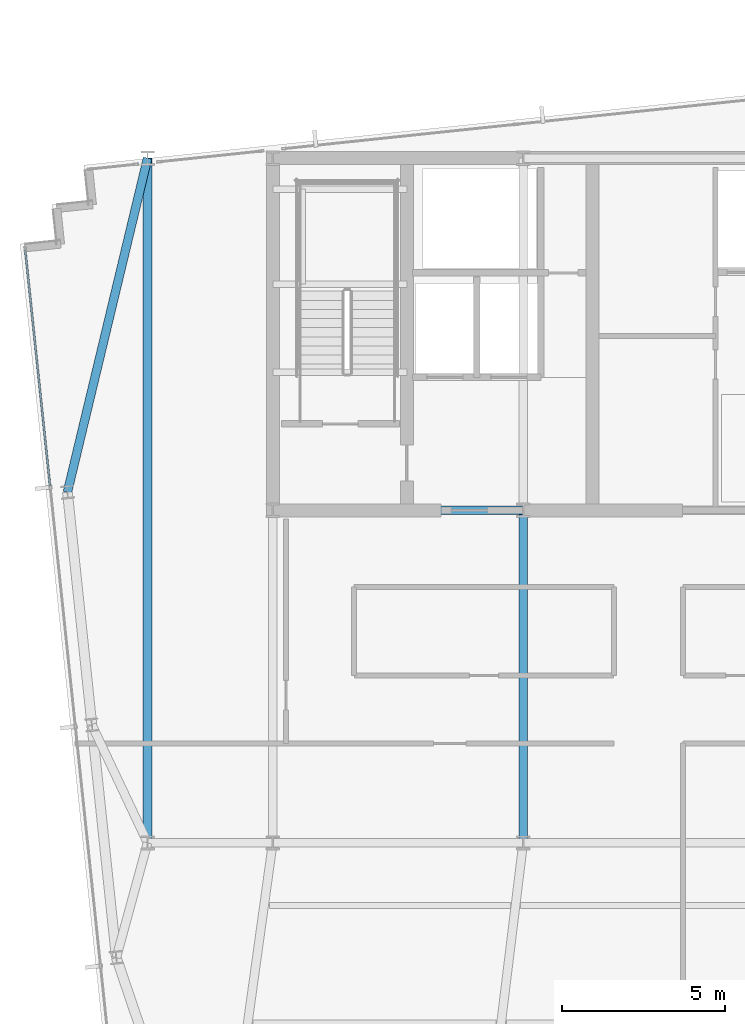
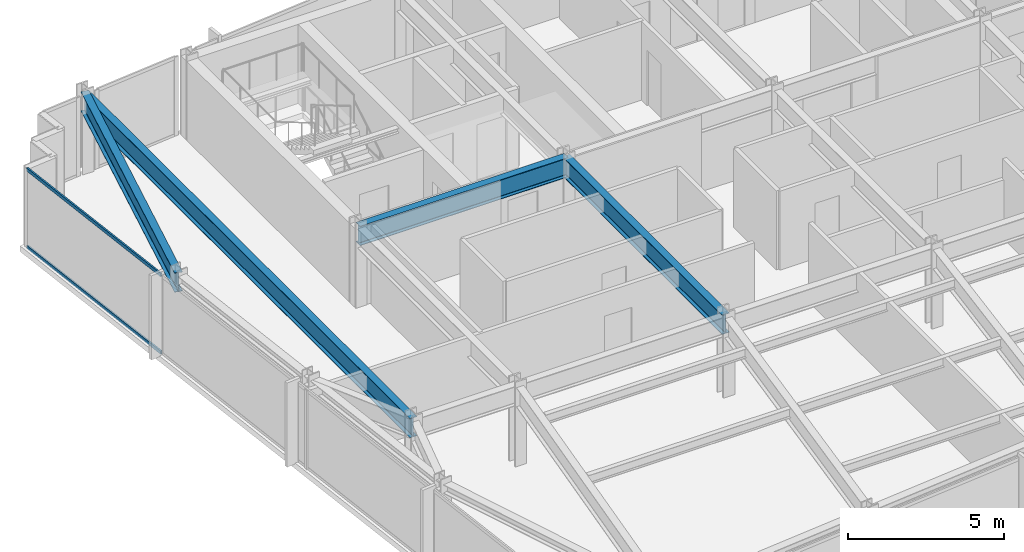
# One storey, part 11 of 32: 4 beams, 2 members, 1 element without a shape of its own.
"""IFC4 building model written with IfcOpenShell, lengths in metres."""

from ifc_helpers import new_model, si_unit, direction, frame, origin, origin_2d, place, context, subcontext, project, spatial, hollow_rectangle, i_section, extrude, material, material_profile, profile_set, type_object, element, aggregate, save


model = new_model("IFC4")

# Units and contexts
model_context = context("Model", 3, precision=1e-05, world=origin(), true_north=direction((0.0, 1.0)))
body_context = subcontext(model_context, "Body", "Model", "MODEL_VIEW")
ifc_project = project(units=[si_unit("LENGTHUNIT", "METRE"), si_unit("AREAUNIT", "SQUARE_METRE"), si_unit("VOLUMEUNIT", "CUBIC_METRE"), si_unit("PLANEANGLEUNIT", "RADIAN"), si_unit("MASSUNIT", "GRAM", prefix="KILO")], contexts=[model_context])

# Site, building, storey
site_placement = place(None, origin())
site = spatial("IfcSite", under=ifc_project, at=site_placement, CompositionType="ELEMENT")
building_placement = place(site_placement, origin())
building = spatial("IfcBuilding", under=site, at=building_placement, Name="Yelkora Congress Tower", CompositionType="ELEMENT")
storey_placement = place(building_placement, frame((0.0, 0.0, 207.800048828125)))
storey = spatial("IfcBuildingStorey", under=building, at=storey_placement, Name="L57", CompositionType="ELEMENT", Elevation=207.800048828125)

# Beams
ifc_material_1 = material(Name="Steel S355J2", Category="steel")
ifc_material_profile_1 = material_profile(ifc_material_1, i_section(OverallWidth=0.26708984375, OverallDepth=0.761962890625, WebThickness=0.014404296875, FlangeThickness=0.021484375, FilletRadius=0.01708984375, at=origin_2d()), Name="IPE 750x173")
ifc_profile_set_1 = profile_set([ifc_material_profile_1], Name="Steel S355J2")
beam_type = type_object("IfcBeamType", Name="BM-GIRD-IPE750", PredefinedType="BEAM", material=ifc_profile_set_1)
beam_1_placement = place(storey_placement, frame((23.0400390625, 35.39990234375, 2.698974609375), z_axis=(1.0, 0.0, 0.0), x_axis=(0.0, 1.0, 0.0)))
element("IfcBeam", 1, at=beam_1_placement, inside=storey, type_object=beam_type, Name="L57 Core South Girder 1", PredefinedType="BEAM", context=body_context, shape_type="SweptSolid", body=[
    extrude(i_section(OverallWidth=0.26708984375, OverallDepth=0.761962890625, WebThickness=0.014404296875, FlangeThickness=0.021484375, FilletRadius=0.01708984375, at=origin_2d()), origin(), (0.0, 0.0, 1.0), 7.679931640625),
])
beam_2_placement = place(storey_placement, frame((30.719970703125, 25.199951171875, 2.698974609375), z_axis=(0.0, 1.0, 0.0), x_axis=(-1.0, 0.0, 0.0)))
element("IfcBeam", 2, at=beam_2_placement, inside=storey, type_object=beam_type, Name="L57 Core Tie Girder MC-D2", PredefinedType="BEAM", context=body_context, shape_type="SweptSolid", body=[
    extrude(i_section(OverallWidth=0.26708984375, OverallDepth=0.761962890625, WebThickness=0.014404296875, FlangeThickness=0.021484375, FilletRadius=0.01708984375, at=origin_2d()), origin(), (0.0, 0.0, 1.0), 10.199951171875),
])
beam_3_placement = place(storey_placement, frame((19.199951171875, 25.199951171875, 2.698974609375), z_axis=(0.0, 1.0, 0.0), x_axis=(-1.0, 0.0, 0.0)))
element("IfcBeam", 3, at=beam_3_placement, inside=storey, type_object=beam_type, Name="L57 Neck Flank Girder MC-F1", PredefinedType="BEAM", context=body_context, shape_type="SweptSolid", body=[
    extrude(i_section(OverallWidth=0.26708984375, OverallDepth=0.761962890625, WebThickness=0.014404296875, FlangeThickness=0.021484375, FilletRadius=0.01708984375, at=origin_2d()), origin(), (0.0, 0.0, 1.0), 21.0),
])
beam_4_placement = place(storey_placement, frame((16.7412109375, 35.95458984375, 2.698974609375), z_axis=(0.233359806768, 0.972390456856, 0.0), x_axis=(-0.972390456856, 0.233359806768, 0.0)))
element("IfcBeam", 4, at=beam_4_placement, inside=storey, type_object=beam_type, Name="L57 Primary Frame Girder W03", PredefinedType="BEAM", context=body_context, shape_type="SweptSolid", body=[
    extrude(i_section(OverallWidth=0.26708984375, OverallDepth=0.761962890625, WebThickness=0.014404296875, FlangeThickness=0.021484375, FilletRadius=0.01708984375, at=origin_2d()), origin(), (0.0, 0.0, 1.0), 10.536376953125),
])

# Curtain wall, members
ifc_material_2 = material(Name="Anodised aluminium and insulated glass", Category="aluminium")
curtain_wall_type = type_object("IfcCurtainWallType", Name="CW-SYS-B4", PredefinedType="NOTDEFINED", material=ifc_material_2)
curtain_wall_placement = place(storey_placement, origin())
curtain_wall = element("IfcCurtainWall", 5, at=curtain_wall_placement, inside=storey, type_object=curtain_wall_type, Name="L57 Unitised Curtain Wall 5", PredefinedType="NOTDEFINED")
ifc_material_3 = material(Name="Anodised aluminium 6063-T6", Category="aluminium")
ifc_material_profile_2 = material_profile(ifc_material_3, hollow_rectangle(XDim=0.06005859375, YDim=0.1298828125, WallThickness=0.00390625, at=origin_2d()), Name="ALU 60x130x4")
ifc_profile_set_2 = profile_set([ifc_material_profile_2], Name="Anodised aluminium 6063-T6")
member_type = type_object("IfcMemberType", Name="MEM-TR-B4", PredefinedType="USERDEFINED", material=ifc_profile_set_2)
member_1_placement = place(storey_placement, frame((16.208984375, 36.137451171875, 0.030029296875), z_axis=(-0.104494567873, 0.994525457334, 0.0), x_axis=(-0.994525457334, -0.104494567873, 0.0)))
member_1 = element("IfcMember", 6, at=member_1_placement, type_object=member_type, Name="CW-B4 transom 4.1", ObjectType="TRANSOM", PredefinedType="USERDEFINED", context=body_context, shape_type="SweptSolid", body=[
    extrude(hollow_rectangle(XDim=0.06005859375, YDim=0.1298828125, WallThickness=0.00390625, at=origin_2d()), origin(), (0.0, 0.0, 1.0), 7.282470703125),
])
member_2_placement = place(storey_placement, frame((16.208984375, 36.137451171875, 3.050048828125), z_axis=(-0.104494567873, 0.994525457334, 0.0), x_axis=(-0.994525457334, -0.104494567873, 0.0)))
member_2 = element("IfcMember", 7, at=member_2_placement, type_object=member_type, Name="CW-B4 transom 4.2", ObjectType="TRANSOM", PredefinedType="USERDEFINED", context=body_context, shape_type="SweptSolid", body=[
    extrude(hollow_rectangle(XDim=0.06005859375, YDim=0.1298828125, WallThickness=0.00390625, at=origin_2d()), origin(), (0.0, 0.0, 1.0), 7.282470703125),
])
aggregate(curtain_wall, [member_1, member_2])

save(model, "model.ifc")
